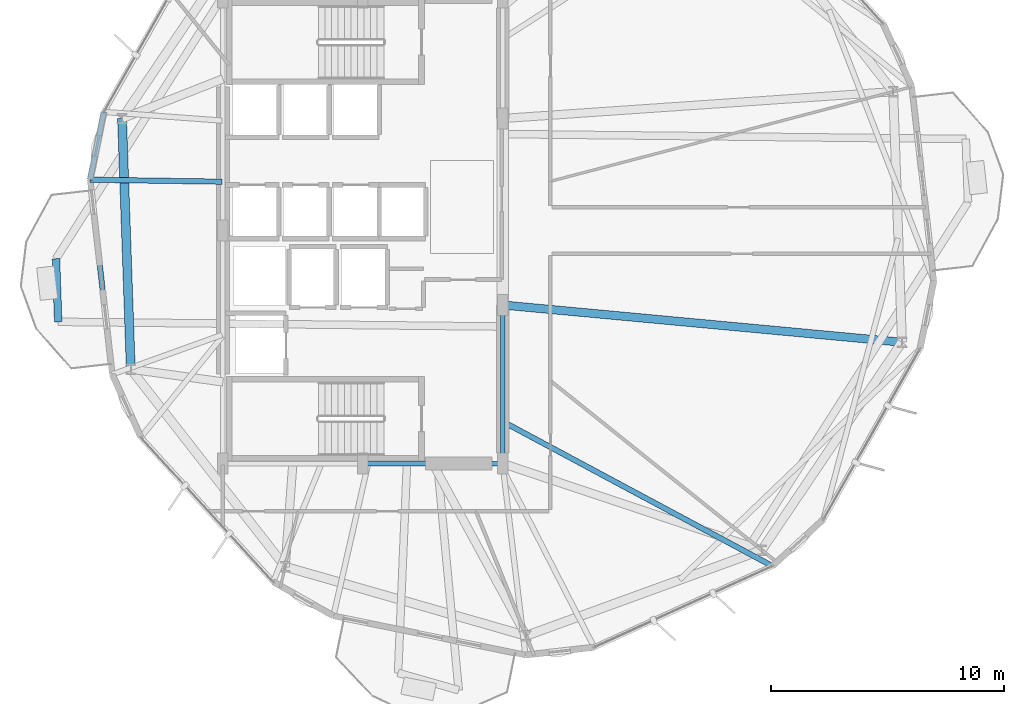
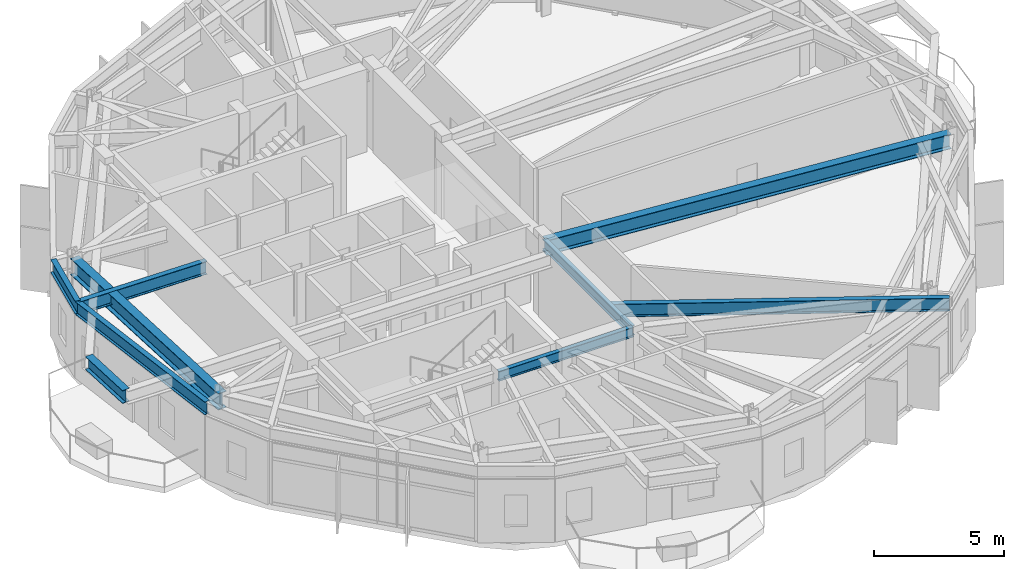
# One storey, part 7 of 23: 9 beams.
"""IFC4 building model written with IfcOpenShell, lengths in metres."""

from ifc_helpers import new_model, si_unit, direction, frame, origin, origin_2d, place, context, subcontext, project, spatial, i_section, extrude, material, material_profile, profile_set, type_object, element, save


model = new_model("IFC4")

# Units and contexts
model_context = context("Model", 3, precision=1e-05, world=origin(), true_north=direction((0.0, 1.0)))
body_context = subcontext(model_context, "Body", "Model", "MODEL_VIEW")
ifc_project = project(units=[si_unit("LENGTHUNIT", "METRE"), si_unit("AREAUNIT", "SQUARE_METRE"), si_unit("VOLUMEUNIT", "CUBIC_METRE"), si_unit("PLANEANGLEUNIT", "RADIAN"), si_unit("MASSUNIT", "GRAM", prefix="KILO")], contexts=[model_context])

# Site, building, storey
site_placement = place(None, origin())
site = spatial("IfcSite", under=ifc_project, at=site_placement, CompositionType="ELEMENT")
building_placement = place(site_placement, origin())
building = spatial("IfcBuilding", under=site, at=building_placement, Name="Soratama Intermodal Tower", CompositionType="ELEMENT")
storey_placement = place(building_placement, frame((0.0, 0.0, 122.5)))
storey = spatial("IfcBuildingStorey", under=building, at=storey_placement, Name="L29", CompositionType="ELEMENT", Elevation=122.5)

# Beams
ifc_material_1 = material(Name="Structural steel ASTM A992 Grade 50", Category="steel")
ifc_material_profile_1 = material_profile(ifc_material_1, i_section(OverallWidth=0.324951171875, OverallDepth=0.615966796875, WebThickness=0.013916015625, FlangeThickness=0.021484375, FilletRadius=0.013916015625, at=origin_2d()), Name="W24X117")
ifc_profile_set_1 = profile_set([ifc_material_profile_1], Name="Structural steel ASTM A992 Grade 50")
beam_type_1 = type_object("IfcBeamType", Name="BM-CANT-W24X117", PredefinedType="BEAM", material=ifc_profile_set_1)
beam_1_placement = place(storey_placement, frame((25.44091796875, 23.783935546875, 3.2919921875), z_axis=(0.035089849162, -0.999384161614, 0.0), x_axis=(0.999384161614, 0.035089849162, 0.0)))
element("IfcBeam", 1, at=beam_1_placement, inside=storey, type_object=beam_type_1, Name="BM-L29-CBHDR-2", PredefinedType="BEAM", context=body_context, shape_type="SweptSolid", body=[
    extrude(i_section(OverallWidth=0.324951171875, OverallDepth=0.615966796875, WebThickness=0.013916015625, FlangeThickness=0.021484375, FilletRadius=0.013916015625, at=origin_2d()), origin(), (0.0, 0.0, 1.0), 2.70654296875),
])
ifc_material_2 = material(Name="Structural steel ASTM A992 Grade 50", Category="steel")
ifc_material_profile_2 = material_profile(ifc_material_2, i_section(OverallWidth=0.19091796875, OverallDepth=0.4599609375, WebThickness=0.010009765625, FlangeThickness=0.01611328125, FilletRadius=0.010986328125, at=origin_2d()), Name="W18X55")
ifc_profile_set_2 = profile_set([ifc_material_profile_2], Name="Structural steel ASTM A992 Grade 50")
beam_type_2 = type_object("IfcBeamType", Name="BM-FLR-W18X55", PredefinedType="BEAM", material=ifc_profile_set_2)
beam_2_placement = place(storey_placement, frame((38.60009765625, 15.0, 3.3701171875), z_axis=(1.0, 0.0, 0.0), x_axis=(0.0, 1.0, 0.0)))
element("IfcBeam", 2, at=beam_2_placement, inside=storey, type_object=beam_type_2, Name="BM-L29-CRING-02", PredefinedType="BEAM", context=body_context, shape_type="SweptSolid", body=[
    extrude(i_section(OverallWidth=0.19091796875, OverallDepth=0.4599609375, WebThickness=0.010009765625, FlangeThickness=0.01611328125, FilletRadius=0.010986328125, at=origin_2d()), origin(), (0.0, 0.0, 1.0), 6.0),
])
beam_3_placement = place(storey_placement, frame((44.60009765625, 15.0, 3.3701171875), z_axis=(0.0, 1.0, 0.0), x_axis=(-1.0, 0.0, 0.0)))
element("IfcBeam", 3, at=beam_3_placement, inside=storey, type_object=beam_type_2, Name="BM-L29-CRING-03", PredefinedType="BEAM", context=body_context, shape_type="SweptSolid", body=[
    extrude(i_section(OverallWidth=0.19091796875, OverallDepth=0.4599609375, WebThickness=0.010009765625, FlangeThickness=0.01611328125, FilletRadius=0.010986328125, at=origin_2d()), origin(), (0.0, 0.0, 1.0), 6.800048828125),
])
ifc_material_3 = material(Name="Structural steel ASTM A992 Grade 50", Category="steel")
ifc_material_profile_3 = material_profile(ifc_material_3, i_section(OverallWidth=0.35498046875, OverallDepth=0.695068359375, WebThickness=0.015380859375, FlangeThickness=0.02490234375, FilletRadius=0.01611328125, at=origin_2d()), Name="W27X146")
ifc_profile_set_3 = profile_set([ifc_material_profile_3], Name="Structural steel ASTM A992 Grade 50")
beam_type_3 = type_object("IfcBeamType", Name="BM-RING-W27X146", PredefinedType="BEAM", material=ifc_profile_set_3)
beam_4_placement = place(storey_placement, frame((44.60009765625, 21.800048828125, 3.25244140625), z_axis=(0.995686011515, -0.092786671855, 0.0), x_axis=(0.092786671855, 0.995686011515, 0.0)))
element("IfcBeam", 4, at=beam_4_placement, inside=storey, type_object=beam_type_3, Name="BM-L29-RAD-10", PredefinedType="BEAM", context=body_context, shape_type="SweptSolid", body=[
    extrude(i_section(OverallWidth=0.35498046875, OverallDepth=0.695068359375, WebThickness=0.015380859375, FlangeThickness=0.02490234375, FilletRadius=0.01611328125, at=origin_2d()), origin(), (0.0, 0.0, 1.0), 17.2001953125),
])
ifc_material_4 = material(Name="Structural steel ASTM A992 Grade 50", Category="steel")
ifc_material_profile_4 = material_profile(ifc_material_4, i_section(OverallWidth=0.382080078125, OverallDepth=0.779052734375, WebThickness=0.01806640625, FlangeThickness=0.030029296875, FilletRadius=0.01806640625, at=origin_2d()), Name="W30X191")
ifc_profile_set_4 = profile_set([ifc_material_profile_4], Name="Structural steel ASTM A992 Grade 50")
beam_type_4 = type_object("IfcBeamType", Name="BM-RING-W30X191", PredefinedType="BEAM", material=ifc_profile_set_4)
beam_5_placement = place(storey_placement, frame((28.27392578125, 29.7958984375, 3.21044921875), z_axis=(0.034872799059, -0.999391758964, 0.0), x_axis=(0.999391758964, 0.034872799059, 0.0)))
element("IfcBeam", 5, at=beam_5_placement, inside=storey, type_object=beam_type_4, Name="BM-L29-RING-05", PredefinedType="BEAM", context=body_context, shape_type="SweptSolid", body=[
    extrude(i_section(OverallWidth=0.382080078125, OverallDepth=0.779052734375, WebThickness=0.01806640625, FlangeThickness=0.030029296875, FilletRadius=0.01806640625, at=origin_2d()), origin(), (0.0, 0.0, 1.0), 10.75341796875),
])
ifc_material_5 = material(Name="Structural steel ASTM A992 Grade 50", Category="steel")
ifc_material_profile_5 = material_profile(ifc_material_5, i_section(OverallWidth=0.22900390625, OverallDepth=0.612060546875, WebThickness=0.011962890625, FlangeThickness=0.01953125, FilletRadius=0.012939453125, at=origin_2d()), Name="W24X84")
ifc_profile_set_5 = profile_set([ifc_material_profile_5], Name="Structural steel ASTM A992 Grade 50")
beam_type_5 = type_object("IfcBeamType", Name="BM-SPN-W24X84", PredefinedType="SPANDREL", material=ifc_profile_set_5)
beam_6_placement = place(storey_placement, frame((27.4970703125, 30.0810546875, 3.2939453125), z_axis=(-0.199564973958, -0.979884595842, 0.0), x_axis=(0.979884595842, -0.199564973958, 0.0)))
element("IfcBeam", 6, at=beam_6_placement, inside=storey, type_object=beam_type_5, Name="BS-L29-CRN04", PredefinedType="SPANDREL", context=body_context, shape_type="SweptSolid", body=[
    extrude(i_section(OverallWidth=0.22900390625, OverallDepth=0.612060546875, WebThickness=0.011962890625, FlangeThickness=0.01953125, FilletRadius=0.012939453125, at=origin_2d()), origin(), (0.0, 0.0, 1.0), 2.966552734375),
])
beam_7_placement = place(storey_placement, frame((26.905029296875, 27.174072265625, 3.2939453125), z_axis=(0.112793672732, -0.993618431487, 0.0), x_axis=(0.993618431487, 0.112793672732, 0.0)))
element("IfcBeam", 7, at=beam_7_placement, inside=storey, type_object=beam_type_5, Name="BS-L29-F05", PredefinedType="SPANDREL", context=body_context, shape_type="SweptSolid", body=[
    extrude(i_section(OverallWidth=0.22900390625, OverallDepth=0.612060546875, WebThickness=0.011962890625, FlangeThickness=0.01953125, FilletRadius=0.012939453125, at=origin_2d()), origin(), (0.0, 0.0, 1.0), 8.40478515625),
])
ifc_material_6 = material(Name="Structural steel ASTM A992 Grade 50", Category="steel")
ifc_material_profile_6 = material_profile(ifc_material_6, i_section(OverallWidth=0.22900390625, OverallDepth=0.612060546875, WebThickness=0.011962890625, FlangeThickness=0.01953125, FilletRadius=0.012939453125, at=origin_2d()), Name="W24X84")
ifc_profile_set_6 = profile_set([ifc_material_profile_6], Name="Structural steel ASTM A992 Grade 50")
beam_type_6 = type_object("IfcBeamType", Name="BM-TIE-W24X84", PredefinedType="BEAM", material=ifc_profile_set_6)
beam_8_placement = place(storey_placement, frame((32.56005859375, 27.090087890625, 3.2939453125), z_axis=(-0.999889738108, 0.014849633895, 0.0), x_axis=(-0.014849633895, -0.999889738108, 0.0)))
element("IfcBeam", 8, at=beam_8_placement, inside=storey, type_object=beam_type_6, Name="BM-L29-TIE0-05", PredefinedType="BEAM", context=body_context, shape_type="SweptSolid", body=[
    extrude(i_section(OverallWidth=0.22900390625, OverallDepth=0.612060546875, WebThickness=0.011962890625, FlangeThickness=0.01953125, FilletRadius=0.012939453125, at=origin_2d()), origin(), (0.0, 0.0, 1.0), 5.65576171875),
])
beam_9_placement = place(storey_placement, frame((44.635009765625, 16.784912109375, 3.2939453125), z_axis=(0.881410097229, -0.472351818566, 0.0), x_axis=(0.472351818566, 0.881410097229, 0.0)))
element("IfcBeam", 9, at=beam_9_placement, inside=storey, type_object=beam_type_6, Name="BM-L29-TIE1-08", PredefinedType="BEAM", context=body_context, shape_type="SweptSolid", body=[
    extrude(i_section(OverallWidth=0.22900390625, OverallDepth=0.612060546875, WebThickness=0.011962890625, FlangeThickness=0.01953125, FilletRadius=0.012939453125, at=origin_2d()), origin(), (0.0, 0.0, 1.0), 13.091552734375),
])

save(model, "model.ifc")
